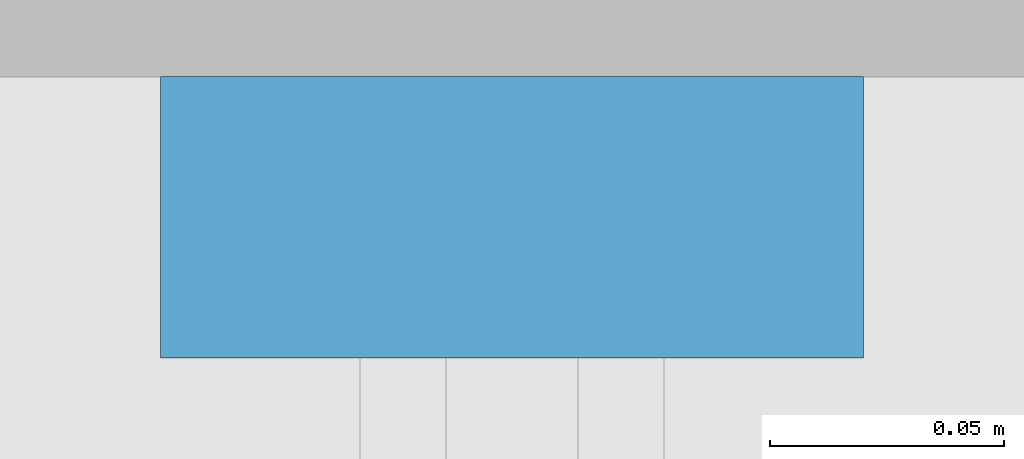
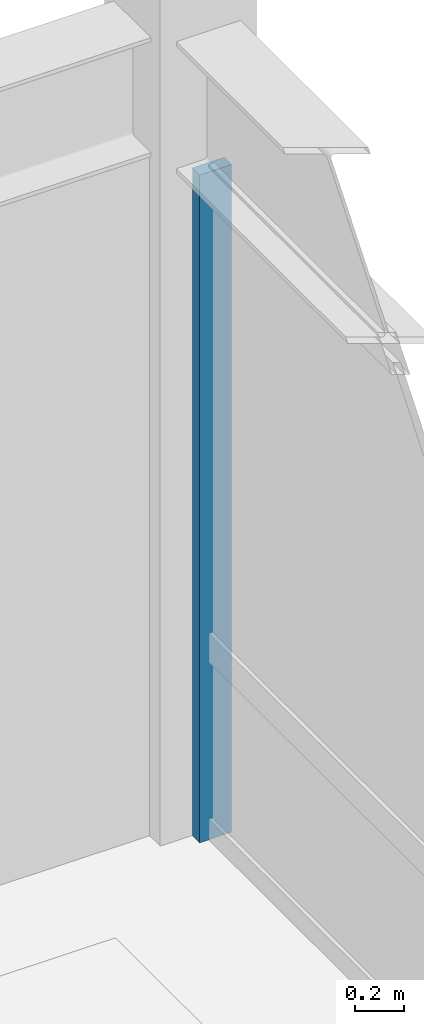
# One storey, part 62 of 108: 1 member, 1 element without a shape of its own.
"""IFC4 building model written with IfcOpenShell, lengths in metres."""

from ifc_helpers import new_model, si_unit, direction, frame, origin, origin_2d, place, context, subcontext, project, spatial, rectangle, extrude, material, material_profile, profile_set, type_object, element, aggregate, save


model = new_model("IFC4")

# Units and contexts
model_context = context("Model", 3, precision=1e-05, world=origin(), true_north=direction((0.0, 1.0)))
body_context = subcontext(model_context, "Body", "Model", "MODEL_VIEW")
ifc_project = project(units=[si_unit("LENGTHUNIT", "METRE"), si_unit("AREAUNIT", "SQUARE_METRE"), si_unit("VOLUMEUNIT", "CUBIC_METRE"), si_unit("PLANEANGLEUNIT", "RADIAN"), si_unit("MASSUNIT", "GRAM", prefix="KILO")], contexts=[model_context])

# Site, building, storey
site_placement = place(None, origin())
site = spatial("IfcSite", under=ifc_project, at=site_placement, CompositionType="ELEMENT")
building_placement = place(site_placement, origin())
building = spatial("IfcBuilding", under=site, at=building_placement, Name="Suzunagisa Mobility Hub", CompositionType="ELEMENT")
storey_placement = place(building_placement, frame((0.0, 0.0, 9.300048828125)))
storey = spatial("IfcBuildingStorey", under=building, at=storey_placement, Name="L02", CompositionType="ELEMENT", Elevation=9.300048828125)

# Curtain wall, member
ifc_material_1 = material(Name="Thermally Broken Anodized Aluminum and Low-E Glazing", Category="aluminium")
curtain_wall_type = type_object("IfcCurtainWallType", Name="Unitised Curtain Wall CW-43 8500x3300", PredefinedType="USERDEFINED", material=ifc_material_1)
curtain_wall_placement = place(storey_placement, origin())
curtain_wall = element("IfcCurtainWall", 1, at=curtain_wall_placement, inside=storey, type_object=curtain_wall_type, Name="L02 Unitised Curtain Wall CW-200", ObjectType="UNITISED CURTAIN WALL", PredefinedType="USERDEFINED")
ifc_material_2 = material(Name="Anodized Aluminum 6063-T6", Category="aluminium")
ifc_material_profile = material_profile(ifc_material_2, rectangle(XDim=0.06005859375, YDim=0.14990234375, at=origin_2d()), Name="MULL-60x150")
ifc_profile_set = profile_set([ifc_material_profile], Name="Anodized Aluminum 6063-T6")
member_type = type_object("IfcMemberType", Name="Curtain Wall Framing CM-03 MULL-60x150", PredefinedType="MULLION", material=ifc_profile_set)
member_placement = place(storey_placement, frame((180.0, 97.7451171875, 0.0), z_axis=(0.0, 0.0, 1.0), x_axis=(0.0, 1.0, 0.0)))
member = element("IfcMember", 2, at=member_placement, type_object=member_type, Name="Curtain Wall Mullion 200-M4", PredefinedType="MULLION", context=body_context, shape_type="SweptSolid", body=[
    extrude(rectangle(XDim=0.06005859375, YDim=0.14990234375, at=origin_2d()), origin(), (0.0, 0.0, 1.0), 3.300048828125),
])
aggregate(curtain_wall, [member])

save(model, "model.ifc")
